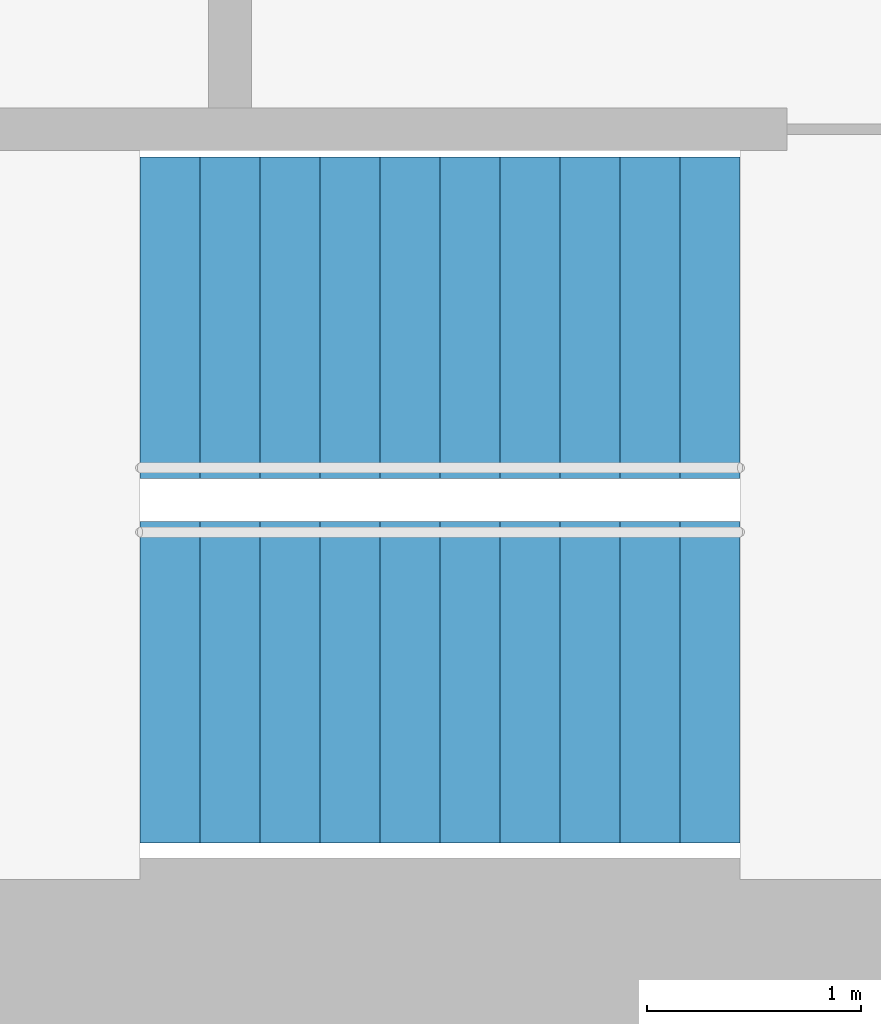
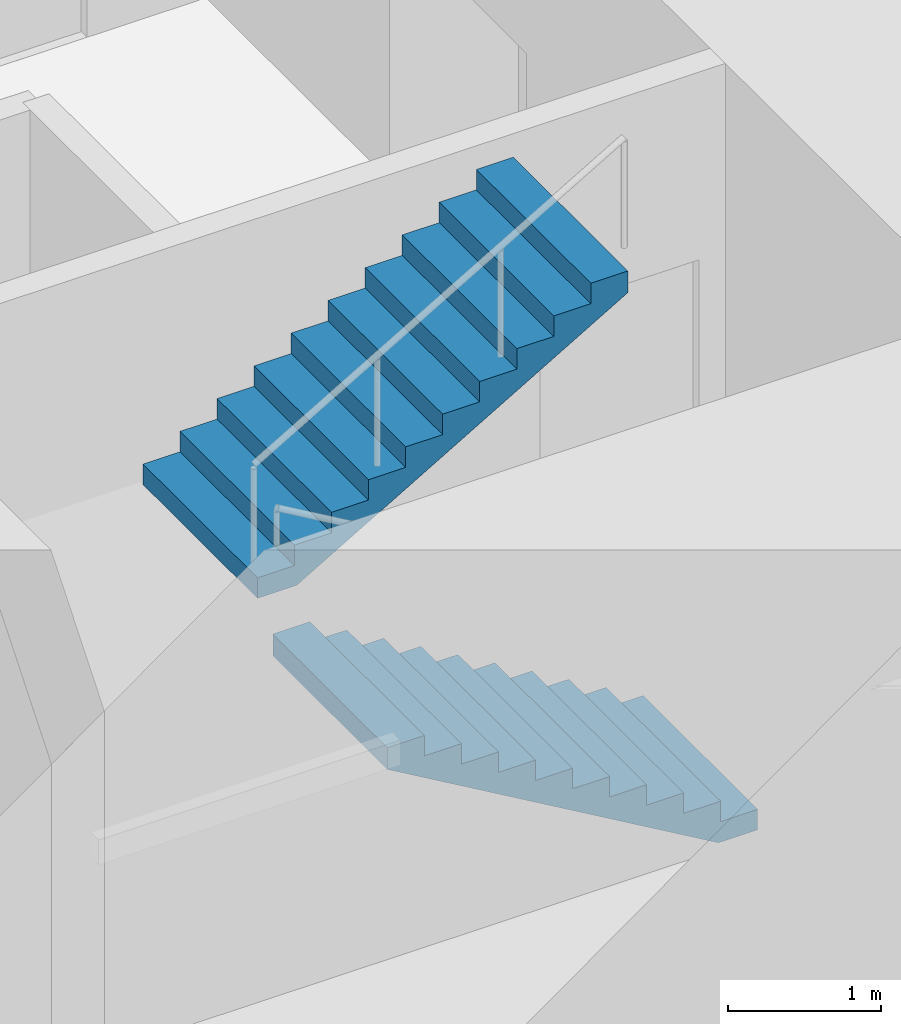
# One storey, part 15 of 17: 2 stair flights, 1 element without a shape of its own.
"""IFC4 building model written with IfcOpenShell, lengths in metres."""

from ifc_helpers import new_model, si_unit, direction, frame, origin, place, context, subcontext, project, spatial, triangles, material, type_object, element, aggregate, save


model = new_model("IFC4")

# Units and contexts
model_context = context("Model", 3, precision=1e-05, world=origin(), true_north=direction((0.0, 1.0)))
body_context = subcontext(model_context, "Body", "Model", "MODEL_VIEW")
ifc_project = project(units=[si_unit("LENGTHUNIT", "METRE"), si_unit("AREAUNIT", "SQUARE_METRE"), si_unit("VOLUMEUNIT", "CUBIC_METRE"), si_unit("PLANEANGLEUNIT", "RADIAN"), si_unit("MASSUNIT", "GRAM", prefix="KILO")], contexts=[model_context])

# Site, building, storey
site_placement = place(None, origin())
site = spatial("IfcSite", under=ifc_project, at=site_placement, CompositionType="ELEMENT")
building_placement = place(site_placement, origin())
building = spatial("IfcBuilding", under=site, at=building_placement, Name="Lantaw Convention Tower", CompositionType="ELEMENT")
storey_placement = place(building_placement, frame((0.0, 0.0, 40.60009765625)))
storey = spatial("IfcBuildingStorey", under=building, at=storey_placement, Name="L07", CompositionType="ELEMENT", Elevation=40.60009765625)

# Stair, stair flights
ifc_material = material(Name="Concrete C35/45", Category="concrete")
stair_type = type_object("IfcStairType", Name="Exit stair 1500 riser 163.64 in 2 flights", PredefinedType="HALF_TURN_STAIR", material=ifc_material)
stair_placement = place(storey_placement, origin())
stair = element("IfcStair", 1, at=stair_placement, inside=storey, type_object=stair_type, Name="Exit stair S2 L07", PredefinedType="HALF_TURN_STAIR")
stair_flight_type = type_object("IfcStairFlightType", Name="Stair flight 1500 riser 163.64", PredefinedType="STRAIGHT", material=ifc_material)
stair_flight_1_placement = place(storey_placement, frame((10.580078125, -5.97998046875, 0.0), z_axis=(0.0, 0.0, 1.0), x_axis=(-1.0, 0.0, 0.0)))
stair_flight_1 = element("IfcStairFlight", 2, at=stair_flight_1_placement, type_object=stair_flight_type, Name="S2 flight 1", NumberOfRisers=11, NumberOfTreads=10, PredefinedType="STRAIGHT", RiserHeight=0.163636364, TreadLength=0.28, context=body_context, shape_type="Tessellation", body=[
    triangles([(0.0, 0.75, 0.0), (0.0, 0.75, 0.163636364), (0.28, 0.75, 0.0), (0.28, 0.75, 0.163636364), (0.28, 0.75, 0.327272728), (0.2970904571225277, 0.75, 0.0), (0.2970904571225277, 0.75, 0.327272728), (0.56, 0.75, 0.1536484344906131), (0.56, 0.75, 0.327272728), (0.56, 0.75, 0.490909092), (0.8400000000000001, 0.75, 0.3172847984906131), (0.8400000000000001, 0.75, 0.490909092), (0.8400000000000001, 0.75, 0.654545456), (1.12, 0.75, 0.4809211624906131), (1.12, 0.75, 0.654545456), (1.12, 0.75, 0.8181818200000001), (1.4000000000000001, 0.75, 0.6445575264906132), (1.4000000000000001, 0.75, 0.8181818200000001), (1.4000000000000001, 0.75, 0.981818184), (1.6800000000000002, 0.75, 0.8081938904906131), (1.6800000000000002, 0.75, 0.981818184), (1.6800000000000002, 0.75, 1.145454548), (1.9600000000000002, 0.75, 0.9718302544906131), (1.9600000000000002, 0.75, 1.145454548), (1.9600000000000002, 0.75, 1.309090912), (2.24, 0.75, 1.135466618490613), (2.24, 0.75, 1.309090912), (2.24, 0.75, 1.472727276), (2.5200000000000005, 0.75, 1.2991029824906133), (2.5200000000000005, 0.75, 1.472727276), (2.5200000000000005, 0.75, 1.6363636400000001), (2.8000000000000003, 0.75, 1.462739346490613), (2.8000000000000003, 0.75, 1.6363636400000001), (0.0, -0.75, 0.0), (0.0, -0.75, 0.163636364), (0.28, -0.75, 0.0), (0.28, -0.75, 0.163636364), (0.28, -0.75, 0.327272728), (0.2970904571225277, -0.75, 0.0), (0.2970904571225277, -0.75, 0.327272728), (0.56, -0.75, 0.1536484344906131), (0.56, -0.75, 0.327272728), (0.56, -0.75, 0.490909092), (0.8400000000000001, -0.75, 0.3172847984906131), (0.8400000000000001, -0.75, 0.490909092), (0.8400000000000001, -0.75, 0.654545456), (1.12, -0.75, 0.4809211624906131), (1.12, -0.75, 0.654545456), (1.12, -0.75, 0.8181818200000001), (1.4000000000000001, -0.75, 0.6445575264906132), (1.4000000000000001, -0.75, 0.8181818200000001), (1.4000000000000001, -0.75, 0.981818184), (1.6800000000000002, -0.75, 0.8081938904906131), (1.6800000000000002, -0.75, 0.981818184), (1.6800000000000002, -0.75, 1.145454548), (1.9600000000000002, -0.75, 0.9718302544906131), (1.9600000000000002, -0.75, 1.145454548), (1.9600000000000002, -0.75, 1.309090912), (2.24, -0.75, 1.135466618490613), (2.24, -0.75, 1.309090912), (2.24, -0.75, 1.472727276), (2.5200000000000005, -0.75, 1.2991029824906133), (2.5200000000000005, -0.75, 1.472727276), (2.5200000000000005, -0.75, 1.6363636400000001), (2.8000000000000003, -0.75, 1.462739346490613), (2.8000000000000003, -0.75, 1.6363636400000001), (0.0, 0.15000000000000002, 0.163636364), (0.0, 0.15000000000000002, 0.0), (0.0, 0.0, 0.163636364), (0.0, 0.0, 0.0), (0.0, -0.15000000000000002, 0.163636364), (0.0, -0.15000000000000002, 0.0), (0.28, 0.15000000000000002, 0.327272728), (0.28, 0.15000000000000002, 0.163636364), (0.28, 0.0, 0.327272728), (0.28, 0.0, 0.163636364), (0.28, -0.15000000000000002, 0.327272728), (0.28, -0.15000000000000002, 0.163636364), (0.56, 0.15000000000000002, 0.490909092), (0.56, 0.15000000000000002, 0.327272728), (0.56, 0.0, 0.490909092), (0.56, 0.0, 0.327272728), (0.56, -0.15000000000000002, 0.490909092), (0.56, -0.15000000000000002, 0.327272728), (0.8400000000000001, 0.15000000000000002, 0.654545456), (0.8400000000000001, 0.15000000000000002, 0.490909092), (0.8400000000000001, 0.0, 0.654545456), (0.8400000000000001, 0.0, 0.490909092), (0.8400000000000001, -0.15000000000000002, 0.654545456), (0.8400000000000001, -0.15000000000000002, 0.490909092), (1.12, 0.15000000000000002, 0.8181818200000001), (1.12, 0.15000000000000002, 0.654545456), (1.12, 0.0, 0.8181818200000001), (1.12, 0.0, 0.654545456), (1.12, -0.15000000000000002, 0.8181818200000001), (1.12, -0.15000000000000002, 0.654545456), (1.4000000000000001, 0.15000000000000002, 0.981818184), (1.4000000000000001, 0.15000000000000002, 0.8181818200000001), (1.4000000000000001, 0.0, 0.981818184), (1.4000000000000001, 0.0, 0.8181818200000001), (1.4000000000000001, -0.15000000000000002, 0.981818184), (1.4000000000000001, -0.15000000000000002, 0.8181818200000001), (1.6800000000000002, 0.15000000000000002, 1.145454548), (1.6800000000000002, 0.15000000000000002, 0.981818184), (1.6800000000000002, 0.0, 1.145454548), (1.6800000000000002, 0.0, 0.981818184), (1.6800000000000002, -0.15000000000000002, 1.145454548), (1.6800000000000002, -0.15000000000000002, 0.981818184), (1.9600000000000002, 0.15000000000000002, 1.309090912), (1.9600000000000002, 0.15000000000000002, 1.145454548), (1.9600000000000002, 0.0, 1.309090912), (1.9600000000000002, 0.0, 1.145454548), (1.9600000000000002, -0.15000000000000002, 1.309090912), (1.9600000000000002, -0.15000000000000002, 1.145454548), (2.24, 0.15000000000000002, 1.472727276), (2.24, 0.15000000000000002, 1.309090912), (2.24, 0.0, 1.472727276), (2.24, 0.0, 1.309090912), (2.24, -0.15000000000000002, 1.472727276), (2.24, -0.15000000000000002, 1.309090912), (2.5200000000000005, 0.15000000000000002, 1.6363636400000001), (2.5200000000000005, 0.15000000000000002, 1.472727276), (2.5200000000000005, 0.0, 1.6363636400000001), (2.5200000000000005, 0.0, 1.472727276), (2.5200000000000005, -0.15000000000000002, 1.6363636400000001), (2.5200000000000005, -0.15000000000000002, 1.472727276), (0.2970904571225277, 0.15000000000000002, 0.327272728), (0.2970904571225277, 0.0, 0.327272728), (0.2970904571225277, -0.15000000000000002, 0.327272728), (2.8000000000000003, 0.15000000000000002, 1.6363636400000001), (2.8000000000000003, 0.0, 1.6363636400000001), (2.8000000000000003, -0.15000000000000002, 1.6363636400000001), (2.8000000000000003, 0.15000000000000002, 1.462739346490613), (2.8000000000000003, 0.0, 1.462739346490613), (2.8000000000000003, -0.15000000000000002, 1.462739346490613), (2.5200000000000005, 0.15000000000000002, 1.2991029824906133), (2.5200000000000005, 0.0, 1.2991029824906133), (2.5200000000000005, -0.15000000000000002, 1.2991029824906133), (2.24, 0.15000000000000002, 1.135466618490613), (2.24, 0.0, 1.135466618490613), (2.24, -0.15000000000000002, 1.135466618490613), (1.9600000000000002, 0.15000000000000002, 0.9718302544906131), (1.9600000000000002, 0.0, 0.9718302544906131), (1.9600000000000002, -0.15000000000000002, 0.9718302544906131), (1.6800000000000002, 0.15000000000000002, 0.8081938904906131), (1.6800000000000002, 0.0, 0.8081938904906131), (1.6800000000000002, -0.15000000000000002, 0.8081938904906131), (1.4000000000000001, 0.15000000000000002, 0.6445575264906132), (1.4000000000000001, 0.0, 0.6445575264906132), (1.4000000000000001, -0.15000000000000002, 0.6445575264906132), (1.12, 0.15000000000000002, 0.4809211624906131), (1.12, 0.0, 0.4809211624906131), (1.12, -0.15000000000000002, 0.4809211624906131), (0.8400000000000001, 0.15000000000000002, 0.3172847984906131), (0.8400000000000001, 0.0, 0.3172847984906131), (0.8400000000000001, -0.15000000000000002, 0.3172847984906131), (0.56, 0.15000000000000002, 0.1536484344906131), (0.56, 0.0, 0.1536484344906131), (0.56, -0.15000000000000002, 0.1536484344906131), (0.2970904571225277, 0.15000000000000002, 0.0), (0.2970904571225277, 0.0, 0.0), (0.2970904571225277, -0.15000000000000002, 0.0), (0.28, 0.15000000000000002, 0.0), (0.28, 0.0, 0.0), (0.28, -0.15000000000000002, 0.0)], [[1, 4, 3], [1, 2, 4], [3, 4, 6], [4, 7, 6], [4, 5, 7], [6, 9, 8], [6, 7, 9], [8, 9, 11], [9, 12, 11], [9, 10, 12], [11, 12, 14], [12, 15, 14], [12, 13, 15], [14, 15, 17], [15, 18, 17], [15, 16, 18], [17, 18, 20], [18, 21, 20], [18, 19, 21], [20, 21, 23], [21, 24, 23], [21, 22, 24], [23, 24, 26], [24, 27, 26], [24, 25, 27], [26, 27, 29], [27, 30, 29], [27, 28, 30], [29, 30, 32], [30, 33, 32], [30, 31, 33], [34, 36, 37], [34, 37, 35], [36, 39, 37], [37, 39, 40], [37, 40, 38], [39, 41, 42], [39, 42, 40], [41, 44, 42], [42, 44, 45], [42, 45, 43], [44, 47, 45], [45, 47, 48], [45, 48, 46], [47, 50, 48], [48, 50, 51], [48, 51, 49], [50, 53, 51], [51, 53, 54], [51, 54, 52], [53, 56, 54], [54, 56, 57], [54, 57, 55], [56, 59, 57], [57, 59, 60], [57, 60, 58], [59, 62, 60], [60, 62, 63], [60, 63, 61], [62, 65, 63], [63, 65, 66], [63, 66, 64], [1, 67, 2], [1, 68, 67], [68, 69, 67], [68, 70, 69], [70, 71, 69], [70, 72, 71], [72, 35, 71], [72, 34, 35], [4, 73, 5], [4, 74, 73], [74, 75, 73], [74, 76, 75], [76, 77, 75], [76, 78, 77], [78, 38, 77], [78, 37, 38], [9, 79, 10], [9, 80, 79], [80, 81, 79], [80, 82, 81], [82, 83, 81], [82, 84, 83], [84, 43, 83], [84, 42, 43], [12, 85, 13], [12, 86, 85], [86, 87, 85], [86, 88, 87], [88, 89, 87], [88, 90, 89], [90, 46, 89], [90, 45, 46], [15, 91, 16], [15, 92, 91], [92, 93, 91], [92, 94, 93], [94, 95, 93], [94, 96, 95], [96, 49, 95], [96, 48, 49], [18, 97, 19], [18, 98, 97], [98, 99, 97], [98, 100, 99], [100, 101, 99], [100, 102, 101], [102, 52, 101], [102, 51, 52], [21, 103, 22], [21, 104, 103], [104, 105, 103], [104, 106, 105], [106, 107, 105], [106, 108, 107], [108, 55, 107], [108, 54, 55], [24, 109, 25], [24, 110, 109], [110, 111, 109], [110, 112, 111], [112, 113, 111], [112, 114, 113], [114, 58, 113], [114, 57, 58], [27, 115, 28], [27, 116, 115], [116, 117, 115], [116, 118, 117], [118, 119, 117], [118, 120, 119], [120, 61, 119], [120, 60, 61], [30, 121, 31], [30, 122, 121], [122, 123, 121], [122, 124, 123], [124, 125, 123], [124, 126, 125], [126, 64, 125], [126, 63, 64], [2, 74, 4], [2, 67, 74], [67, 76, 74], [67, 69, 76], [69, 78, 76], [69, 71, 78], [71, 37, 78], [71, 35, 37], [5, 127, 7], [5, 73, 127], [73, 128, 127], [73, 75, 128], [75, 129, 128], [75, 77, 129], [77, 40, 129], [77, 38, 40], [7, 80, 9], [7, 127, 80], [127, 82, 80], [127, 128, 82], [128, 84, 82], [128, 129, 84], [129, 42, 84], [129, 40, 42], [10, 86, 12], [10, 79, 86], [79, 88, 86], [79, 81, 88], [81, 90, 88], [81, 83, 90], [83, 45, 90], [83, 43, 45], [13, 92, 15], [13, 85, 92], [85, 94, 92], [85, 87, 94], [87, 96, 94], [87, 89, 96], [89, 48, 96], [89, 46, 48], [16, 98, 18], [16, 91, 98], [91, 100, 98], [91, 93, 100], [93, 102, 100], [93, 95, 102], [95, 51, 102], [95, 49, 51], [19, 104, 21], [19, 97, 104], [97, 106, 104], [97, 99, 106], [99, 108, 106], [99, 101, 108], [101, 54, 108], [101, 52, 54], [22, 110, 24], [22, 103, 110], [103, 112, 110], [103, 105, 112], [105, 114, 112], [105, 107, 114], [107, 57, 114], [107, 55, 57], [25, 116, 27], [25, 109, 116], [109, 118, 116], [109, 111, 118], [111, 120, 118], [111, 113, 120], [113, 60, 120], [113, 58, 60], [28, 122, 30], [28, 115, 122], [115, 124, 122], [115, 117, 124], [117, 126, 124], [117, 119, 126], [119, 63, 126], [119, 61, 63], [31, 130, 33], [31, 121, 130], [121, 131, 130], [121, 123, 131], [123, 132, 131], [123, 125, 132], [125, 66, 132], [125, 64, 66], [33, 133, 32], [33, 130, 133], [130, 134, 133], [130, 131, 134], [131, 135, 134], [131, 132, 135], [132, 65, 135], [132, 66, 65], [32, 136, 29], [32, 133, 136], [133, 137, 136], [133, 134, 137], [134, 138, 137], [134, 135, 138], [135, 62, 138], [135, 65, 62], [29, 139, 26], [29, 136, 139], [136, 140, 139], [136, 137, 140], [137, 141, 140], [137, 138, 141], [138, 59, 141], [138, 62, 59], [26, 142, 23], [26, 139, 142], [139, 143, 142], [139, 140, 143], [140, 144, 143], [140, 141, 144], [141, 56, 144], [141, 59, 56], [23, 145, 20], [23, 142, 145], [142, 146, 145], [142, 143, 146], [143, 147, 146], [143, 144, 147], [144, 53, 147], [144, 56, 53], [20, 148, 17], [20, 145, 148], [145, 149, 148], [145, 146, 149], [146, 150, 149], [146, 147, 150], [147, 50, 150], [147, 53, 50], [17, 151, 14], [17, 148, 151], [148, 152, 151], [148, 149, 152], [149, 153, 152], [149, 150, 153], [150, 47, 153], [150, 50, 47], [14, 154, 11], [14, 151, 154], [151, 155, 154], [151, 152, 155], [152, 156, 155], [152, 153, 156], [153, 44, 156], [153, 47, 44], [11, 157, 8], [11, 154, 157], [154, 158, 157], [154, 155, 158], [155, 159, 158], [155, 156, 159], [156, 41, 159], [156, 44, 41], [8, 160, 6], [8, 157, 160], [157, 161, 160], [157, 158, 161], [158, 162, 161], [158, 159, 162], [159, 39, 162], [159, 41, 39], [6, 163, 3], [6, 160, 163], [160, 164, 163], [160, 161, 164], [161, 165, 164], [161, 162, 165], [162, 36, 165], [162, 39, 36], [3, 68, 1], [3, 163, 68], [163, 70, 68], [163, 164, 70], [164, 72, 70], [164, 165, 72], [165, 34, 72], [165, 36, 34]], closed=True),
])
stair_flight_2_placement = place(storey_placement, frame((7.780029296875, -4.280029296875, 1.7998046875), z_axis=(0.0, 0.0, 1.0), x_axis=(1.0, 0.0, 0.0)))
stair_flight_2 = element("IfcStairFlight", 3, at=stair_flight_2_placement, type_object=stair_flight_type, Name="S2 flight 2", NumberOfRisers=11, NumberOfTreads=10, PredefinedType="STRAIGHT", RiserHeight=0.163636364, TreadLength=0.28, context=body_context, shape_type="Tessellation", body=[
    triangles([(0.0, 0.75, 0.0), (0.0, 0.75, 0.163636364), (0.28, 0.75, 0.0), (0.28, 0.75, 0.163636364), (0.28, 0.75, 0.327272728), (0.2970904571225277, 0.75, 0.0), (0.2970904571225277, 0.75, 0.327272728), (0.56, 0.75, 0.1536484344906131), (0.56, 0.75, 0.327272728), (0.56, 0.75, 0.490909092), (0.8400000000000001, 0.75, 0.3172847984906131), (0.8400000000000001, 0.75, 0.490909092), (0.8400000000000001, 0.75, 0.654545456), (1.12, 0.75, 0.4809211624906131), (1.12, 0.75, 0.654545456), (1.12, 0.75, 0.8181818200000001), (1.4000000000000001, 0.75, 0.6445575264906132), (1.4000000000000001, 0.75, 0.8181818200000001), (1.4000000000000001, 0.75, 0.981818184), (1.6800000000000002, 0.75, 0.8081938904906131), (1.6800000000000002, 0.75, 0.981818184), (1.6800000000000002, 0.75, 1.145454548), (1.9600000000000002, 0.75, 0.9718302544906131), (1.9600000000000002, 0.75, 1.145454548), (1.9600000000000002, 0.75, 1.309090912), (2.24, 0.75, 1.135466618490613), (2.24, 0.75, 1.309090912), (2.24, 0.75, 1.472727276), (2.5200000000000005, 0.75, 1.2991029824906133), (2.5200000000000005, 0.75, 1.472727276), (2.5200000000000005, 0.75, 1.6363636400000001), (2.8000000000000003, 0.75, 1.462739346490613), (2.8000000000000003, 0.75, 1.6363636400000001), (0.0, -0.75, 0.0), (0.0, -0.75, 0.163636364), (0.28, -0.75, 0.0), (0.28, -0.75, 0.163636364), (0.28, -0.75, 0.327272728), (0.2970904571225277, -0.75, 0.0), (0.2970904571225277, -0.75, 0.327272728), (0.56, -0.75, 0.1536484344906131), (0.56, -0.75, 0.327272728), (0.56, -0.75, 0.490909092), (0.8400000000000001, -0.75, 0.3172847984906131), (0.8400000000000001, -0.75, 0.490909092), (0.8400000000000001, -0.75, 0.654545456), (1.12, -0.75, 0.4809211624906131), (1.12, -0.75, 0.654545456), (1.12, -0.75, 0.8181818200000001), (1.4000000000000001, -0.75, 0.6445575264906132), (1.4000000000000001, -0.75, 0.8181818200000001), (1.4000000000000001, -0.75, 0.981818184), (1.6800000000000002, -0.75, 0.8081938904906131), (1.6800000000000002, -0.75, 0.981818184), (1.6800000000000002, -0.75, 1.145454548), (1.9600000000000002, -0.75, 0.9718302544906131), (1.9600000000000002, -0.75, 1.145454548), (1.9600000000000002, -0.75, 1.309090912), (2.24, -0.75, 1.135466618490613), (2.24, -0.75, 1.309090912), (2.24, -0.75, 1.472727276), (2.5200000000000005, -0.75, 1.2991029824906133), (2.5200000000000005, -0.75, 1.472727276), (2.5200000000000005, -0.75, 1.6363636400000001), (2.8000000000000003, -0.75, 1.462739346490613), (2.8000000000000003, -0.75, 1.6363636400000001), (0.0, 0.15000000000000002, 0.163636364), (0.0, 0.15000000000000002, 0.0), (0.0, 0.0, 0.163636364), (0.0, 0.0, 0.0), (0.0, -0.15000000000000002, 0.163636364), (0.0, -0.15000000000000002, 0.0), (0.28, 0.15000000000000002, 0.327272728), (0.28, 0.15000000000000002, 0.163636364), (0.28, 0.0, 0.327272728), (0.28, 0.0, 0.163636364), (0.28, -0.15000000000000002, 0.327272728), (0.28, -0.15000000000000002, 0.163636364), (0.56, 0.15000000000000002, 0.490909092), (0.56, 0.15000000000000002, 0.327272728), (0.56, 0.0, 0.490909092), (0.56, 0.0, 0.327272728), (0.56, -0.15000000000000002, 0.490909092), (0.56, -0.15000000000000002, 0.327272728), (0.8400000000000001, 0.15000000000000002, 0.654545456), (0.8400000000000001, 0.15000000000000002, 0.490909092), (0.8400000000000001, 0.0, 0.654545456), (0.8400000000000001, 0.0, 0.490909092), (0.8400000000000001, -0.15000000000000002, 0.654545456), (0.8400000000000001, -0.15000000000000002, 0.490909092), (1.12, 0.15000000000000002, 0.8181818200000001), (1.12, 0.15000000000000002, 0.654545456), (1.12, 0.0, 0.8181818200000001), (1.12, 0.0, 0.654545456), (1.12, -0.15000000000000002, 0.8181818200000001), (1.12, -0.15000000000000002, 0.654545456), (1.4000000000000001, 0.15000000000000002, 0.981818184), (1.4000000000000001, 0.15000000000000002, 0.8181818200000001), (1.4000000000000001, 0.0, 0.981818184), (1.4000000000000001, 0.0, 0.8181818200000001), (1.4000000000000001, -0.15000000000000002, 0.981818184), (1.4000000000000001, -0.15000000000000002, 0.8181818200000001), (1.6800000000000002, 0.15000000000000002, 1.145454548), (1.6800000000000002, 0.15000000000000002, 0.981818184), (1.6800000000000002, 0.0, 1.145454548), (1.6800000000000002, 0.0, 0.981818184), (1.6800000000000002, -0.15000000000000002, 1.145454548), (1.6800000000000002, -0.15000000000000002, 0.981818184), (1.9600000000000002, 0.15000000000000002, 1.309090912), (1.9600000000000002, 0.15000000000000002, 1.145454548), (1.9600000000000002, 0.0, 1.309090912), (1.9600000000000002, 0.0, 1.145454548), (1.9600000000000002, -0.15000000000000002, 1.309090912), (1.9600000000000002, -0.15000000000000002, 1.145454548), (2.24, 0.15000000000000002, 1.472727276), (2.24, 0.15000000000000002, 1.309090912), (2.24, 0.0, 1.472727276), (2.24, 0.0, 1.309090912), (2.24, -0.15000000000000002, 1.472727276), (2.24, -0.15000000000000002, 1.309090912), (2.5200000000000005, 0.15000000000000002, 1.6363636400000001), (2.5200000000000005, 0.15000000000000002, 1.472727276), (2.5200000000000005, 0.0, 1.6363636400000001), (2.5200000000000005, 0.0, 1.472727276), (2.5200000000000005, -0.15000000000000002, 1.6363636400000001), (2.5200000000000005, -0.15000000000000002, 1.472727276), (0.2970904571225277, 0.15000000000000002, 0.327272728), (0.2970904571225277, 0.0, 0.327272728), (0.2970904571225277, -0.15000000000000002, 0.327272728), (2.8000000000000003, 0.15000000000000002, 1.6363636400000001), (2.8000000000000003, 0.0, 1.6363636400000001), (2.8000000000000003, -0.15000000000000002, 1.6363636400000001), (2.8000000000000003, 0.15000000000000002, 1.462739346490613), (2.8000000000000003, 0.0, 1.462739346490613), (2.8000000000000003, -0.15000000000000002, 1.462739346490613), (2.5200000000000005, 0.15000000000000002, 1.2991029824906133), (2.5200000000000005, 0.0, 1.2991029824906133), (2.5200000000000005, -0.15000000000000002, 1.2991029824906133), (2.24, 0.15000000000000002, 1.135466618490613), (2.24, 0.0, 1.135466618490613), (2.24, -0.15000000000000002, 1.135466618490613), (1.9600000000000002, 0.15000000000000002, 0.9718302544906131), (1.9600000000000002, 0.0, 0.9718302544906131), (1.9600000000000002, -0.15000000000000002, 0.9718302544906131), (1.6800000000000002, 0.15000000000000002, 0.8081938904906131), (1.6800000000000002, 0.0, 0.8081938904906131), (1.6800000000000002, -0.15000000000000002, 0.8081938904906131), (1.4000000000000001, 0.15000000000000002, 0.6445575264906132), (1.4000000000000001, 0.0, 0.6445575264906132), (1.4000000000000001, -0.15000000000000002, 0.6445575264906132), (1.12, 0.15000000000000002, 0.4809211624906131), (1.12, 0.0, 0.4809211624906131), (1.12, -0.15000000000000002, 0.4809211624906131), (0.8400000000000001, 0.15000000000000002, 0.3172847984906131), (0.8400000000000001, 0.0, 0.3172847984906131), (0.8400000000000001, -0.15000000000000002, 0.3172847984906131), (0.56, 0.15000000000000002, 0.1536484344906131), (0.56, 0.0, 0.1536484344906131), (0.56, -0.15000000000000002, 0.1536484344906131), (0.2970904571225277, 0.15000000000000002, 0.0), (0.2970904571225277, 0.0, 0.0), (0.2970904571225277, -0.15000000000000002, 0.0), (0.28, 0.15000000000000002, 0.0), (0.28, 0.0, 0.0), (0.28, -0.15000000000000002, 0.0)], [[1, 4, 3], [1, 2, 4], [3, 4, 6], [4, 7, 6], [4, 5, 7], [6, 9, 8], [6, 7, 9], [8, 9, 11], [9, 12, 11], [9, 10, 12], [11, 12, 14], [12, 15, 14], [12, 13, 15], [14, 15, 17], [15, 18, 17], [15, 16, 18], [17, 18, 20], [18, 21, 20], [18, 19, 21], [20, 21, 23], [21, 24, 23], [21, 22, 24], [23, 24, 26], [24, 27, 26], [24, 25, 27], [26, 27, 29], [27, 30, 29], [27, 28, 30], [29, 30, 32], [30, 33, 32], [30, 31, 33], [34, 36, 37], [34, 37, 35], [36, 39, 37], [37, 39, 40], [37, 40, 38], [39, 41, 42], [39, 42, 40], [41, 44, 42], [42, 44, 45], [42, 45, 43], [44, 47, 45], [45, 47, 48], [45, 48, 46], [47, 50, 48], [48, 50, 51], [48, 51, 49], [50, 53, 51], [51, 53, 54], [51, 54, 52], [53, 56, 54], [54, 56, 57], [54, 57, 55], [56, 59, 57], [57, 59, 60], [57, 60, 58], [59, 62, 60], [60, 62, 63], [60, 63, 61], [62, 65, 63], [63, 65, 66], [63, 66, 64], [1, 67, 2], [1, 68, 67], [68, 69, 67], [68, 70, 69], [70, 71, 69], [70, 72, 71], [72, 35, 71], [72, 34, 35], [4, 73, 5], [4, 74, 73], [74, 75, 73], [74, 76, 75], [76, 77, 75], [76, 78, 77], [78, 38, 77], [78, 37, 38], [9, 79, 10], [9, 80, 79], [80, 81, 79], [80, 82, 81], [82, 83, 81], [82, 84, 83], [84, 43, 83], [84, 42, 43], [12, 85, 13], [12, 86, 85], [86, 87, 85], [86, 88, 87], [88, 89, 87], [88, 90, 89], [90, 46, 89], [90, 45, 46], [15, 91, 16], [15, 92, 91], [92, 93, 91], [92, 94, 93], [94, 95, 93], [94, 96, 95], [96, 49, 95], [96, 48, 49], [18, 97, 19], [18, 98, 97], [98, 99, 97], [98, 100, 99], [100, 101, 99], [100, 102, 101], [102, 52, 101], [102, 51, 52], [21, 103, 22], [21, 104, 103], [104, 105, 103], [104, 106, 105], [106, 107, 105], [106, 108, 107], [108, 55, 107], [108, 54, 55], [24, 109, 25], [24, 110, 109], [110, 111, 109], [110, 112, 111], [112, 113, 111], [112, 114, 113], [114, 58, 113], [114, 57, 58], [27, 115, 28], [27, 116, 115], [116, 117, 115], [116, 118, 117], [118, 119, 117], [118, 120, 119], [120, 61, 119], [120, 60, 61], [30, 121, 31], [30, 122, 121], [122, 123, 121], [122, 124, 123], [124, 125, 123], [124, 126, 125], [126, 64, 125], [126, 63, 64], [2, 74, 4], [2, 67, 74], [67, 76, 74], [67, 69, 76], [69, 78, 76], [69, 71, 78], [71, 37, 78], [71, 35, 37], [5, 127, 7], [5, 73, 127], [73, 128, 127], [73, 75, 128], [75, 129, 128], [75, 77, 129], [77, 40, 129], [77, 38, 40], [7, 80, 9], [7, 127, 80], [127, 82, 80], [127, 128, 82], [128, 84, 82], [128, 129, 84], [129, 42, 84], [129, 40, 42], [10, 86, 12], [10, 79, 86], [79, 88, 86], [79, 81, 88], [81, 90, 88], [81, 83, 90], [83, 45, 90], [83, 43, 45], [13, 92, 15], [13, 85, 92], [85, 94, 92], [85, 87, 94], [87, 96, 94], [87, 89, 96], [89, 48, 96], [89, 46, 48], [16, 98, 18], [16, 91, 98], [91, 100, 98], [91, 93, 100], [93, 102, 100], [93, 95, 102], [95, 51, 102], [95, 49, 51], [19, 104, 21], [19, 97, 104], [97, 106, 104], [97, 99, 106], [99, 108, 106], [99, 101, 108], [101, 54, 108], [101, 52, 54], [22, 110, 24], [22, 103, 110], [103, 112, 110], [103, 105, 112], [105, 114, 112], [105, 107, 114], [107, 57, 114], [107, 55, 57], [25, 116, 27], [25, 109, 116], [109, 118, 116], [109, 111, 118], [111, 120, 118], [111, 113, 120], [113, 60, 120], [113, 58, 60], [28, 122, 30], [28, 115, 122], [115, 124, 122], [115, 117, 124], [117, 126, 124], [117, 119, 126], [119, 63, 126], [119, 61, 63], [31, 130, 33], [31, 121, 130], [121, 131, 130], [121, 123, 131], [123, 132, 131], [123, 125, 132], [125, 66, 132], [125, 64, 66], [33, 133, 32], [33, 130, 133], [130, 134, 133], [130, 131, 134], [131, 135, 134], [131, 132, 135], [132, 65, 135], [132, 66, 65], [32, 136, 29], [32, 133, 136], [133, 137, 136], [133, 134, 137], [134, 138, 137], [134, 135, 138], [135, 62, 138], [135, 65, 62], [29, 139, 26], [29, 136, 139], [136, 140, 139], [136, 137, 140], [137, 141, 140], [137, 138, 141], [138, 59, 141], [138, 62, 59], [26, 142, 23], [26, 139, 142], [139, 143, 142], [139, 140, 143], [140, 144, 143], [140, 141, 144], [141, 56, 144], [141, 59, 56], [23, 145, 20], [23, 142, 145], [142, 146, 145], [142, 143, 146], [143, 147, 146], [143, 144, 147], [144, 53, 147], [144, 56, 53], [20, 148, 17], [20, 145, 148], [145, 149, 148], [145, 146, 149], [146, 150, 149], [146, 147, 150], [147, 50, 150], [147, 53, 50], [17, 151, 14], [17, 148, 151], [148, 152, 151], [148, 149, 152], [149, 153, 152], [149, 150, 153], [150, 47, 153], [150, 50, 47], [14, 154, 11], [14, 151, 154], [151, 155, 154], [151, 152, 155], [152, 156, 155], [152, 153, 156], [153, 44, 156], [153, 47, 44], [11, 157, 8], [11, 154, 157], [154, 158, 157], [154, 155, 158], [155, 159, 158], [155, 156, 159], [156, 41, 159], [156, 44, 41], [8, 160, 6], [8, 157, 160], [157, 161, 160], [157, 158, 161], [158, 162, 161], [158, 159, 162], [159, 39, 162], [159, 41, 39], [6, 163, 3], [6, 160, 163], [160, 164, 163], [160, 161, 164], [161, 165, 164], [161, 162, 165], [162, 36, 165], [162, 39, 36], [3, 68, 1], [3, 163, 68], [163, 70, 68], [163, 164, 70], [164, 72, 70], [164, 165, 72], [165, 34, 72], [165, 36, 34]], closed=True),
])
aggregate(stair, [stair_flight_1, stair_flight_2])

save(model, "model.ifc")
